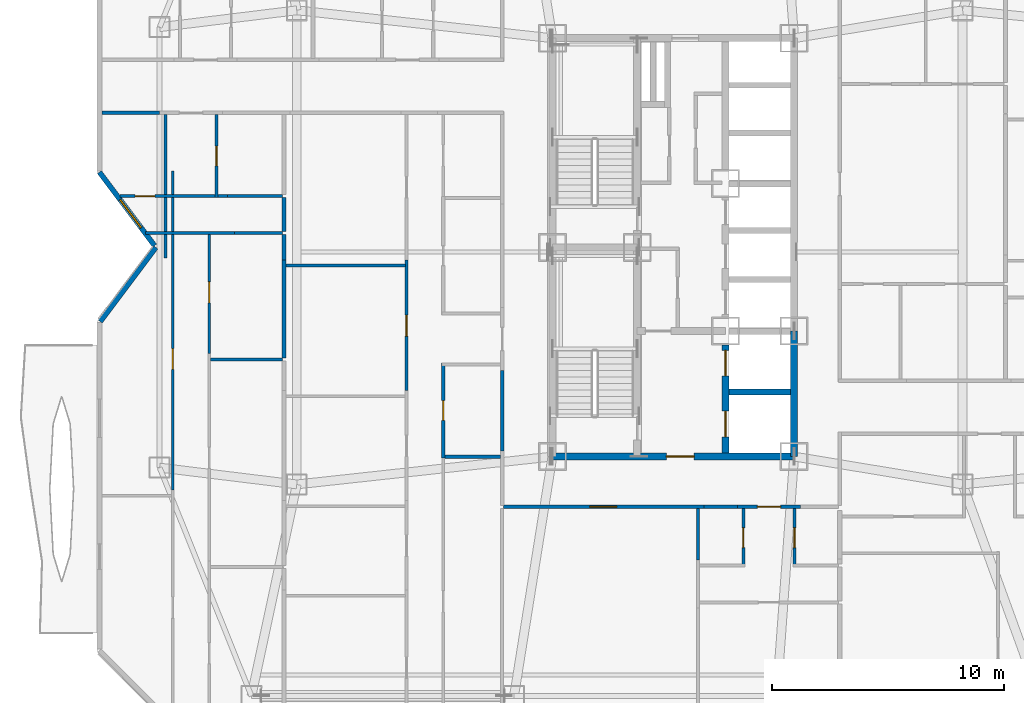
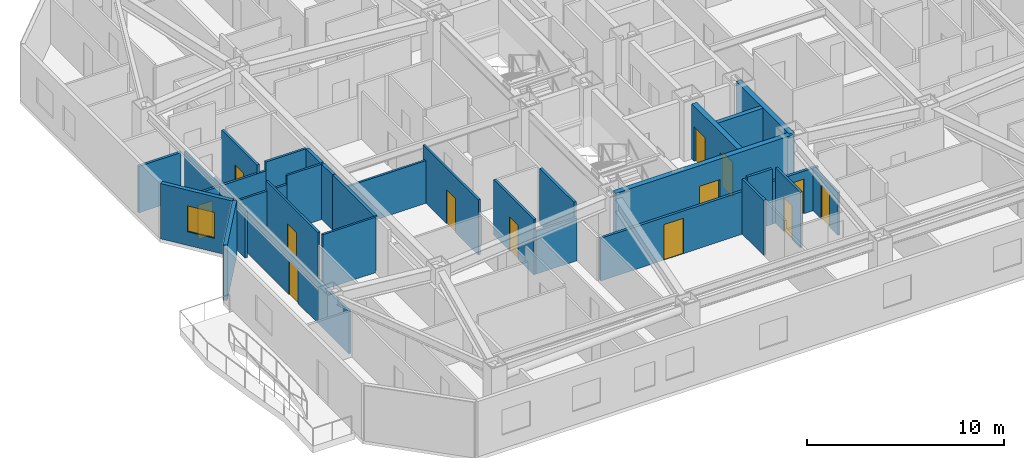
# One storey, part 8 of 16: 30 walls, 13 doors, 1 window, 14 openings.
"""IFC4 building model written with IfcOpenShell, lengths in metres."""

from ifc_helpers import new_model, si_unit, direction, frame, frame_2d, origin, place, context, subcontext, project, spatial, rectangle, extrude, material, layer, layer_set, type_object, element, fill, save


model = new_model("IFC4")

# Units and contexts
model_context = context("Model", 3, precision=1e-05, world=origin(), true_north=direction((0.0, 1.0)))
body_context = subcontext(model_context, "Body", "Model", "MODEL_VIEW")
ifc_project = project(units=[si_unit("LENGTHUNIT", "METRE"), si_unit("AREAUNIT", "SQUARE_METRE"), si_unit("VOLUMEUNIT", "CUBIC_METRE"), si_unit("PLANEANGLEUNIT", "RADIAN"), si_unit("MASSUNIT", "GRAM", prefix="KILO")], contexts=[model_context])

# Site, building, storey
site_placement = place(None, origin())
site = spatial("IfcSite", under=ifc_project, at=site_placement, CompositionType="ELEMENT")
building_placement = place(site_placement, origin())
building = spatial("IfcBuilding", under=site, at=building_placement, Name="Khamvora Tower", CompositionType="ELEMENT")
storey_placement = place(building_placement, frame((0.0, 0.0, 134.75)))
storey = spatial("IfcBuildingStorey", under=building, at=storey_placement, Name="L34", CompositionType="ELEMENT", Elevation=134.75)

# Wall, opening, door
ifc_material_1 = material(Name="Concrete C50/60", Category="concrete")
ifc_layer_1 = layer(ifc_material_1, 0.300048828125)
ifc_layer_set_1 = layer_set([ifc_layer_1], Name="Concrete C50/60")
wall_type_1 = type_object("IfcWallType", Name="WAL-CORE-300", PredefinedType="SHEAR", material=ifc_layer_set_1)
wall_1_placement = place(storey_placement, frame((29.0, 19.0, 0.0), z_axis=(0.0, 0.0, 1.0), x_axis=(1.0, 0.0, 0.0)))
wall_1 = element("IfcWall", 1, at=wall_1_placement, inside=storey, type_object=wall_type_1, Name="L34 central core south wall", PredefinedType="SHEAR", context=body_context, shape_type="SweptSolid", body=[
    extrude(rectangle(XDim=10.39990234375, YDim=0.300048828125, at=frame_2d((5.199951171875, 0.0))), origin(), (0.0, 0.0, 1.0), 3.429931640625),
])
opening_1_placement = place(wall_1_placement, frame((4.89990234375, 0.0, 0.0)))
opening_1 = element("IfcOpeningElement", 2, at=opening_1_placement, cuts=wall_1, Name="Opening D-CR1", PredefinedType="OPENING", context=body_context, shape_type="SweptSolid", body=[
    extrude(rectangle(XDim=1.199951171875, YDim=2.14990234375, at=frame_2d((0.60009765625, 1.074951171875))), frame((0.0, 0.159912109375, 0.0), z_axis=(0.0, -1.0, 0.0), x_axis=(1.0, 0.0, 0.0)), (0.0, 0.0, 1.0), 0.320068359375),
])
ifc_material_2 = material(Name="Powder-Coated Steel and Hardwood Leaf", Category="steel")
door_type_1 = type_object("IfcDoorType", Name="DOR-CORR-1200", OperationType="NOTDEFINED", PredefinedType="DOOR", material=ifc_material_2)
door_1_placement = place(opening_1_placement, origin())
door_1 = element("IfcDoor", 3, at=door_1_placement, inside=storey, type_object=door_type_1, Name="L34 south core lobby to corridor fire door", OperationType="SINGLE_SWING_RIGHT", OverallHeight=2.14990234375, OverallWidth=1.199951171875, PredefinedType="DOOR", context=body_context, shape_type="SweptSolid", body=[
    extrude(rectangle(XDim=1.199951171875, YDim=2.14990234375, at=frame_2d((0.60009765625, 1.074951171875))), frame((0.0, 0.02490234375, 0.0), z_axis=(0.0, -1.0, 0.0), x_axis=(1.0, 0.0, 0.0)), (0.0, 0.0, 1.0), 0.050048828125),
])
fill(opening_1, door_1)

# Wall
wall_2_placement = place(storey_placement, frame((39.39990234375, 19.0, 0.0), z_axis=(0.0, 0.0, 1.0), x_axis=(0.0, 1.0, 0.0)))
element("IfcWall", 4, at=wall_2_placement, inside=storey, type_object=wall_type_1, Name="L34 central core east south wall", PredefinedType="SHEAR", context=body_context, shape_type="SweptSolid", body=[
    extrude(rectangle(XDim=5.39990234375, YDim=0.300048828125, at=frame_2d((2.699951171875, 0.0))), origin(), (0.0, 0.0, 1.0), 3.429931640625),
])

# Wall, openings, doors
wall_3_placement = place(storey_placement, frame((36.449951171875, 19.154052734375, 0.0), z_axis=(0.0, 0.0, 1.0), x_axis=(0.0, 1.0, 0.0)))
wall_3 = element("IfcWall", 5, at=wall_3_placement, inside=storey, type_object=wall_type_1, Name="L34 central core lift bank south wall", PredefinedType="SHEAR", context=body_context, shape_type="SweptSolid", body=[
    extrude(rectangle(XDim=4.64599609375, YDim=0.300048828125, at=frame_2d((2.322998046875, 0.0))), origin(), (0.0, 0.0, 1.0), 3.429931640625),
])
opening_2_placement = place(wall_3_placement, frame((0.696044921875, 0.0, 0.0)))
opening_2 = element("IfcOpeningElement", 6, at=opening_2_placement, cuts=wall_3, Name="Opening LD-FFL", PredefinedType="OPENING", context=body_context, shape_type="SweptSolid", body=[
    extrude(rectangle(XDim=1.10009765625, YDim=2.14990234375, at=frame_2d((0.550048828125, 1.074951171875))), frame((0.0, 0.159912109375, 0.0), z_axis=(0.0, -1.0, 0.0), x_axis=(1.0, 0.0, 0.0)), (0.0, 0.0, 1.0), 0.320068359375),
])
opening_3_placement = place(wall_3_placement, frame((3.31591796875, 0.0, 0.0)))
opening_3 = element("IfcOpeningElement", 7, at=opening_3_placement, cuts=wall_3, Name="Opening LD-FFL", PredefinedType="OPENING", context=body_context, shape_type="SweptSolid", body=[
    extrude(rectangle(XDim=1.10009765625, YDim=2.14990234375, at=frame_2d((0.550048828125, 1.074951171875))), frame((0.0, 0.159912109375, 0.0), z_axis=(0.0, -1.0, 0.0), x_axis=(1.0, 0.0, 0.0)), (0.0, 0.0, 1.0), 0.320068359375),
])
door_type_2 = type_object("IfcDoorType", Name="DOR-LIFT-1100", OperationType="SLIDING_TO_LEFT", PredefinedType="DOOR", material=ifc_material_2)
door_2_placement = place(opening_2_placement, origin())
door_2 = element("IfcDoor", 8, at=door_2_placement, inside=storey, type_object=door_type_2, Name="L34 lift landing sliding door FFL-01", OperationType="SLIDING_TO_LEFT", OverallHeight=2.14990234375, OverallWidth=1.10009765625, PredefinedType="DOOR", context=body_context, shape_type="SweptSolid", body=[
    extrude(rectangle(XDim=1.10009765625, YDim=2.14990234375, at=frame_2d((0.550048828125, 1.074951171875))), frame((0.0, 0.02490234375, 0.0), z_axis=(0.0, -1.0, 0.0), x_axis=(1.0, 0.0, 0.0)), (0.0, 0.0, 1.0), 0.050048828125),
])
fill(opening_2, door_2)
door_3_placement = place(opening_3_placement, origin())
door_3 = element("IfcDoor", 9, at=door_3_placement, inside=storey, type_object=door_type_2, Name="L34 lift landing sliding door FFL-02", OperationType="SLIDING_TO_LEFT", OverallHeight=2.14990234375, OverallWidth=1.10009765625, PredefinedType="DOOR", context=body_context, shape_type="SweptSolid", body=[
    extrude(rectangle(XDim=1.10009765625, YDim=2.14990234375, at=frame_2d((0.550048828125, 1.074951171875))), frame((0.0, 0.02490234375, 0.0), z_axis=(0.0, -1.0, 0.0), x_axis=(1.0, 0.0, 0.0)), (0.0, 0.0, 1.0), 0.050048828125),
])
fill(opening_3, door_3)

# Wall, opening, door
ifc_material_3 = material(Name="Fire-Rated Drywall and Steel Stud", Category="steel")
ifc_layer_2 = layer(ifc_material_3, 0.14990234375)
ifc_layer_set_2 = layer_set([ifc_layer_2], Name="Fire-Rated Drywall and Steel Stud")
wall_type_2 = type_object("IfcWallType", Name="WAL-CORR-150", PredefinedType="STANDARD", material=ifc_layer_set_2)
wall_4_placement = place(storey_placement, frame((35.513916015625, 16.8349609375, 0.0), z_axis=(0.0, 0.0, 1.0), x_axis=(-1.0, 0.0, 0.0)))
wall_4 = element("IfcWall", 10, at=wall_4_placement, inside=storey, type_object=wall_type_2, Name="L34 interior partition wall 008", PredefinedType="STANDARD", context=body_context, shape_type="SweptSolid", body=[
    extrude(rectangle(XDim=8.614013671875, YDim=0.14990234375, at=frame_2d((4.30712890625, 0.0))), origin(), (0.0, 0.0, 1.0), 2.64697265625),
])
opening_4_placement = place(wall_4_placement, frame((3.7529296875, 0.0, 0.0)))
opening_4 = element("IfcOpeningElement", 11, at=opening_4_placement, cuts=wall_4, Name="Opening D-SC1", PredefinedType="OPENING", context=body_context, shape_type="SweptSolid", body=[
    extrude(rectangle(XDim=1.14990234375, YDim=2.199951171875, at=frame_2d((0.574951171875, 1.10009765625))), frame((0.0, 0.0849609375, 0.0), z_axis=(0.0, -1.0, 0.0), x_axis=(1.0, 0.0, 0.0)), (0.0, 0.0, 1.0), 0.169921875),
])
door_type_3 = type_object("IfcDoorType", Name="DOR-SCHL-1150", OperationType="NOTDEFINED", PredefinedType="DOOR", material=ifc_material_2)
door_4_placement = place(opening_4_placement, origin())
door_4 = element("IfcDoor", 12, at=door_4_placement, inside=storey, type_object=door_type_3, Name="L34 interior door COR-RCOW", OperationType="SINGLE_SWING_LEFT", OverallHeight=2.199951171875, OverallWidth=1.14990234375, PredefinedType="DOOR", context=body_context, shape_type="SweptSolid", body=[
    extrude(rectangle(XDim=1.14990234375, YDim=2.199951171875, at=frame_2d((0.574951171875, 1.10009765625))), frame((0.0, 0.02490234375, 0.0), z_axis=(0.0, -1.0, 0.0), x_axis=(1.0, 0.0, 0.0)), (0.0, 0.0, 1.0), 0.050048828125),
])
fill(opening_4, door_4)

# Walls
wall_5_placement = place(storey_placement, frame((12.097900390625, 33.784912109375, 0.0), z_axis=(0.0, 0.0, 1.0), x_axis=(-1.0, 0.0, 0.0)))
element("IfcWall", 13, at=wall_5_placement, inside=storey, type_object=wall_type_2, Name="L34 interior partition wall 010", PredefinedType="STANDARD", context=body_context, shape_type="SweptSolid", body=[
    extrude(rectangle(XDim=2.48583984375, YDim=0.14990234375, at=frame_2d((1.242919921875, 0.0))), origin(), (0.0, 0.0, 1.0), 2.8759765625),
])
wall_6_placement = place(storey_placement, frame((26.8349609375, 19.242919921875, 0.0), z_axis=(0.0, 0.0, 1.0), x_axis=(0.0, 1.0, 0.0)))
element("IfcWall", 14, at=wall_6_placement, inside=storey, type_object=wall_type_2, Name="L34 interior partition wall 017", PredefinedType="STANDARD", context=body_context, shape_type="SweptSolid", body=[
    extrude(rectangle(XDim=3.467041015625, YDim=0.14990234375, at=frame_2d((1.7333984375, 0.0))), origin(), (0.0, 0.0, 1.0), 3.429931640625),
])

# Wall, opening, door
wall_7_placement = place(storey_placement, frame((39.6640625, 16.8349609375, 0.0), z_axis=(0.0, 0.0, 1.0), x_axis=(-1.0, 0.0, 0.0)))
wall_7 = element("IfcWall", 15, at=wall_7_placement, inside=storey, type_object=wall_type_2, Name="L34 interior partition wall 027", PredefinedType="STANDARD", context=body_context, shape_type="SweptSolid", body=[
    extrude(rectangle(XDim=2.697998046875, YDim=0.14990234375, at=frame_2d((1.34912109375, 0.0))), origin(), (0.0, 0.0, 1.0), 2.64697265625),
])
opening_5_placement = place(wall_7_placement, frame((0.84912109375, 0.0, 0.0)))
opening_5 = element("IfcOpeningElement", 16, at=opening_5_placement, cuts=wall_7, Name="Opening D-U1", PredefinedType="OPENING", context=body_context, shape_type="SweptSolid", body=[
    extrude(rectangle(XDim=1.0, YDim=2.14990234375, at=frame_2d((0.5, 1.074951171875))), frame((0.0, 0.0849609375, 0.0), z_axis=(0.0, -1.0, 0.0), x_axis=(1.0, 0.0, 0.0)), (0.0, 0.0, 1.0), 0.169921875),
])
door_type_4 = type_object("IfcDoorType", Name="DOR-UNIT-1000", OperationType="NOTDEFINED", PredefinedType="DOOR", material=ifc_material_2)
door_5_placement = place(opening_5_placement, origin())
door_5 = element("IfcDoor", 17, at=door_5_placement, inside=storey, type_object=door_type_4, Name="L34 interior door COR-34SAH", OperationType="SINGLE_SWING_RIGHT", OverallHeight=2.14990234375, OverallWidth=1.0, PredefinedType="DOOR", context=body_context, shape_type="SweptSolid", body=[
    extrude(rectangle(XDim=1.0, YDim=2.14990234375, at=frame_2d((0.5, 1.074951171875))), frame((0.0, 0.02490234375, 0.0), z_axis=(0.0, -1.0, 0.0), x_axis=(1.0, 0.0, 0.0)), (0.0, 0.0, 1.0), 0.050048828125),
])
fill(opening_5, door_5)

# Walls
wall_8_placement = place(storey_placement, frame((36.966064453125, 16.8349609375, 0.0), z_axis=(0.0, 0.0, 1.0), x_axis=(-1.0, 0.0, 0.0)))
element("IfcWall", 18, at=wall_8_placement, inside=storey, type_object=wall_type_2, Name="L34 interior partition wall 028", PredefinedType="STANDARD", context=body_context, shape_type="SweptSolid", body=[
    extrude(rectangle(XDim=1.4521484375, YDim=0.14990234375, at=frame_2d((0.72607421875, 0.0))), origin(), (0.0, 0.0, 1.0), 3.429931640625),
])
ifc_material_4 = material(Name="Acoustic Double-Stud Fire Wall", Category="gypsum")
ifc_layer_3 = layer(ifc_material_4, 0.179931640625)
ifc_layer_set_3 = layer_set([ifc_layer_3], Name="Acoustic Double-Stud Fire Wall")
wall_type_3 = type_object("IfcWallType", Name="WAL-CORR-180", PredefinedType="STANDARD", material=ifc_layer_set_3)
wall_9_placement = place(storey_placement, frame((17.449951171875, 30.139892578125, 0.0), z_axis=(0.0, 0.0, 1.0), x_axis=(0.0, -1.0, 0.0)))
element("IfcWall", 19, at=wall_9_placement, inside=storey, type_object=wall_type_3, Name="L34 interior partition wall 060", PredefinedType="STANDARD", context=body_context, shape_type="SweptSolid", body=[
    extrude(rectangle(XDim=1.449951171875, YDim=0.179931640625, at=frame_2d((0.72509765625, 0.0))), origin(), (0.0, 0.0, 1.0), 3.429931640625),
])
wall_10_placement = place(storey_placement, frame((17.449951171875, 27.465087890625, 0.0), z_axis=(0.0, 0.0, 1.0), x_axis=(0.0, -1.0, 0.0)))
element("IfcWall", 20, at=wall_10_placement, inside=storey, type_object=wall_type_3, Name="L34 interior partition wall 070", PredefinedType="STANDARD", context=body_context, shape_type="SweptSolid", body=[
    extrude(rectangle(XDim=4.218017578125, YDim=0.179931640625, at=frame_2d((2.10888671875, 0.0))), origin(), (0.0, 0.0, 1.0), 3.429931640625),
])
wall_11_placement = place(storey_placement, frame((17.449951171875, 28.56005859375, 0.0), z_axis=(0.0, 0.0, 1.0), x_axis=(0.0, -1.0, 0.0)))
element("IfcWall", 21, at=wall_11_placement, inside=storey, type_object=wall_type_3, Name="L34 interior partition wall 071", PredefinedType="STANDARD", context=body_context, shape_type="SweptSolid", body=[
    extrude(rectangle(XDim=1.094970703125, YDim=0.179931640625, at=frame_2d((0.54736328125, 0.0))), origin(), (0.0, 0.0, 1.0), 3.429931640625),
])
ifc_material_5 = material(Name="Precast concrete C40/50", Category="concrete")
ifc_layer_4 = layer(ifc_material_5, 0.219970703125)
ifc_layer_set_4 = layer_set([ifc_layer_4], Name="Precast concrete C40/50")
wall_type_4 = type_object("IfcWallType", Name="WAL-EXT-220", PredefinedType="STANDARD", material=ifc_layer_set_4)
wall_12_placement = place(storey_placement, frame((9.5439453125, 24.80810546875, 0.0), z_axis=(0.0, 0.0, 1.0), x_axis=(0.600019580308, 0.799985314394, 0.0)))
element("IfcWall", 22, at=wall_12_placement, inside=storey, type_object=wall_type_4, Name="L34 exterior facade wall 03.1", PredefinedType="STANDARD", context=body_context, shape_type="SweptSolid", body=[
    extrude(rectangle(XDim=3.989990234375, YDim=0.219970703125, at=frame_2d((1.9951171875, 0.0))), origin(), (0.0, 0.0, 1.0), 3.429931640625),
])

# Wall, opening, window
wall_13_placement = place(storey_placement, frame((11.881103515625, 28.076904296875, 0.0), z_axis=(0.0, 0.0, 1.0), x_axis=(-0.600158184825, 0.799881336942, 0.0)))
wall_13 = element("IfcWall", 23, at=wall_13_placement, inside=storey, type_object=wall_type_4, Name="L34 exterior facade wall 04.1", PredefinedType="STANDARD", context=body_context, shape_type="SweptSolid", body=[
    extrude(rectangle(XDim=3.95068359375, YDim=0.219970703125, at=frame_2d((1.975341796875, 0.0))), origin(), (0.0, 0.0, 1.0), 3.429931640625),
])
opening_6_placement = place(wall_13_placement, frame((0.964111328125, 0.0, 0.85009765625)))
opening_6 = element("IfcOpeningElement", 24, at=opening_6_placement, cuts=wall_13, Name="Opening WN-02", PredefinedType="OPENING", context=body_context, shape_type="SweptSolid", body=[
    extrude(rectangle(XDim=1.5, YDim=1.60009765625, at=frame_2d((0.75, 0.800048828125))), frame((0.0, 0.119873046875, 0.0), z_axis=(0.0, -1.0, 0.0), x_axis=(1.0, 0.0, 0.0)), (0.0, 0.0, 1.0), 0.239990234375),
])
ifc_material_6 = material(Name="Low-E Laminated Double Glazing", Category="glass")
window_type = type_object("IfcWindowType", Name="WIN-VIS-1500x1600", PartitioningType="SINGLE_PANEL", PredefinedType="WINDOW", material=ifc_material_6)
window_placement = place(opening_6_placement, origin())
window = element("IfcWindow", 25, at=window_placement, inside=storey, type_object=window_type, Name="L34 vision window 04.1.01", OverallHeight=1.60009765625, OverallWidth=1.5, PartitioningType="SINGLE_PANEL", PredefinedType="WINDOW", context=body_context, shape_type="SweptSolid", body=[
    extrude(rectangle(XDim=1.5, YDim=1.60009765625, at=frame_2d((0.75, 0.800048828125))), frame((0.0, 0.030029296875, 0.0), z_axis=(0.0, -1.0, 0.0), x_axis=(1.0, 0.0, 0.0)), (0.0, 0.0, 1.0), 0.06005859375),
])
fill(opening_6, window)

# Wall, opening, door
ifc_material_7 = material(Name="Gypsum Plasterboard Partition", Category="gypsum")
ifc_layer_5 = layer(ifc_material_7, 0.1201171875)
ifc_layer_set_5 = layer_set([ifc_layer_5], Name="Gypsum Plasterboard Partition")
wall_type_5 = type_object("IfcWallType", Name="WAL-PART-120", PredefinedType="PARTITIONING", material=ifc_layer_set_5)
wall_14_placement = place(storey_placement, frame((12.662109375, 17.56298828125, 0.0), z_axis=(0.0, 0.0, 1.0), x_axis=(0.0, 1.0, 0.0)))
wall_14 = element("IfcWall", 26, at=wall_14_placement, inside=storey, type_object=wall_type_5, Name="L34 interior partition wall 054", PredefinedType="PARTITIONING", context=body_context, shape_type="SweptSolid", body=[
    extrude(rectangle(XDim=13.72705078125, YDim=0.1201171875, at=frame_2d((6.863525390625, 0.0))), origin(), (0.0, 0.0, 1.0), 2.64697265625),
])
opening_7_placement = place(wall_14_placement, frame((5.18408203125, 0.0, 0.0)))
opening_7 = element("IfcOpeningElement", 27, at=opening_7_placement, cuts=wall_14, Name="Opening D-RM1", PredefinedType="OPENING", context=body_context, shape_type="SweptSolid", body=[
    extrude(rectangle(XDim=0.89990234375, YDim=2.10009765625, at=frame_2d((0.449951171875, 1.050048828125))), frame((0.0, 0.070068359375, 0.0), z_axis=(0.0, -1.0, 0.0), x_axis=(1.0, 0.0, 0.0)), (0.0, 0.0, 1.0), 0.14013671875),
])
door_type_5 = type_object("IfcDoorType", Name="DOR-ROOM-900", OperationType="NOTDEFINED", PredefinedType="DOOR", material=ifc_material_2)
door_6_placement = place(opening_7_placement, origin())
door_6 = element("IfcDoor", 28, at=door_6_placement, inside=storey, type_object=door_type_5, Name="L34 interior door 34WA1H-34WA1R2", OperationType="SINGLE_SWING_LEFT", OverallHeight=2.10009765625, OverallWidth=0.89990234375, PredefinedType="DOOR", context=body_context, shape_type="SweptSolid", body=[
    extrude(rectangle(XDim=0.89990234375, YDim=2.10009765625, at=frame_2d((0.449951171875, 1.050048828125))), frame((0.0, 0.02490234375, 0.0), z_axis=(0.0, -1.0, 0.0), x_axis=(1.0, 0.0, 0.0)), (0.0, 0.0, 1.0), 0.050048828125),
])
fill(opening_7, door_6)

# Walls
wall_15_placement = place(storey_placement, frame((15.326904296875, 28.625, 0.0), z_axis=(0.0, 0.0, 1.0), x_axis=(-1.0, 0.0, 0.0)))
element("IfcWall", 29, at=wall_15_placement, inside=storey, type_object=wall_type_5, Name="L34 interior partition wall 055", PredefinedType="PARTITIONING", context=body_context, shape_type="SweptSolid", body=[
    extrude(rectangle(XDim=3.844970703125, YDim=0.1201171875, at=frame_2d((1.92236328125, 0.0))), origin(), (0.0, 0.0, 1.0), 2.8759765625),
])
wall_16_placement = place(storey_placement, frame((17.385009765625, 28.625, 0.0), z_axis=(0.0, 0.0, 1.0), x_axis=(-1.0, 0.0, 0.0)))
element("IfcWall", 30, at=wall_16_placement, inside=storey, type_object=wall_type_5, Name="L34 interior partition wall 058", PredefinedType="PARTITIONING", context=body_context, shape_type="SweptSolid", body=[
    extrude(rectangle(XDim=2.05810546875, YDim=0.1201171875, at=frame_2d((1.029052734375, 0.0))), origin(), (0.0, 0.0, 1.0), 3.429931640625),
])

# Wall, opening, door
wall_17_placement = place(storey_placement, frame((14.23193359375, 28.68994140625, 0.0), z_axis=(0.0, 0.0, 1.0), x_axis=(0.0, -1.0, 0.0)))
wall_17 = element("IfcWall", 31, at=wall_17_placement, inside=storey, type_object=wall_type_5, Name="L34 interior partition wall 059", PredefinedType="PARTITIONING", context=body_context, shape_type="SweptSolid", body=[
    extrude(rectangle(XDim=5.259033203125, YDim=0.1201171875, at=frame_2d((2.62939453125, 0.0))), origin(), (0.0, 0.0, 1.0), 3.429931640625),
])
opening_8_placement = place(wall_17_placement, frame((2.178955078125, 0.0, 0.0)))
opening_8 = element("IfcOpeningElement", 32, at=opening_8_placement, cuts=wall_17, Name="Opening D-RM1", PredefinedType="OPENING", context=body_context, shape_type="SweptSolid", body=[
    extrude(rectangle(XDim=0.89990234375, YDim=2.10009765625, at=frame_2d((0.449951171875, 1.050048828125))), frame((0.0, 0.070068359375, 0.0), z_axis=(0.0, -1.0, 0.0), x_axis=(1.0, 0.0, 0.0)), (0.0, 0.0, 1.0), 0.14013671875),
])
door_7_placement = place(opening_8_placement, origin())
door_7 = element("IfcDoor", 33, at=door_7_placement, inside=storey, type_object=door_type_5, Name="L34 interior door 34WA1H-34WA1R5", OperationType="SINGLE_SWING_RIGHT", OverallHeight=2.10009765625, OverallWidth=0.89990234375, PredefinedType="DOOR", context=body_context, shape_type="SweptSolid", body=[
    extrude(rectangle(XDim=0.89990234375, YDim=2.10009765625, at=frame_2d((0.449951171875, 1.050048828125))), frame((0.0, 0.02490234375, 0.0), z_axis=(0.0, -1.0, 0.0), x_axis=(1.0, 0.0, 0.0)), (0.0, 0.0, 1.0), 0.050048828125),
])
fill(opening_8, door_7)

# Wall
wall_18_placement = place(storey_placement, frame((14.285888671875, 23.181884765625, 0.0), z_axis=(0.0, 0.0, 1.0), x_axis=(1.0, 0.0, 0.0)))
element("IfcWall", 34, at=wall_18_placement, inside=storey, type_object=wall_type_5, Name="L34 interior partition wall 066", PredefinedType="PARTITIONING", context=body_context, shape_type="SweptSolid", body=[
    extrude(rectangle(XDim=3.09912109375, YDim=0.1201171875, at=frame_2d((1.549560546875, 0.0))), origin(), (0.0, 0.0, 1.0), 3.429931640625),
])

# Wall, opening, door
wall_19_placement = place(storey_placement, frame((22.72509765625, 21.845947265625, 0.0), z_axis=(0.0, 0.0, 1.0), x_axis=(0.0, 1.0, 0.0)))
wall_19 = element("IfcWall", 35, at=wall_19_placement, inside=storey, type_object=wall_type_5, Name="L34 interior partition wall 083", PredefinedType="PARTITIONING", context=body_context, shape_type="SweptSolid", body=[
    extrude(rectangle(XDim=5.619140625, YDim=0.1201171875, at=frame_2d((2.8095703125, 0.0))), origin(), (0.0, 0.0, 1.0), 3.429931640625),
])
opening_9_placement = place(wall_19_placement, frame((2.337890625, 0.0, 0.0)))
opening_9 = element("IfcOpeningElement", 36, at=opening_9_placement, cuts=wall_19, Name="Opening D-RM1", PredefinedType="OPENING", context=body_context, shape_type="SweptSolid", body=[
    extrude(rectangle(XDim=0.89990234375, YDim=2.10009765625, at=frame_2d((0.449951171875, 1.050048828125))), frame((0.0, 0.070068359375, 0.0), z_axis=(0.0, -1.0, 0.0), x_axis=(1.0, 0.0, 0.0)), (0.0, 0.0, 1.0), 0.14013671875),
])
door_8_placement = place(opening_9_placement, origin())
door_8 = element("IfcDoor", 37, at=door_8_placement, inside=storey, type_object=door_type_5, Name="L34 interior door 34WA2H-34WA2R4", OperationType="SINGLE_SWING_RIGHT", OverallHeight=2.10009765625, OverallWidth=0.89990234375, PredefinedType="DOOR", context=body_context, shape_type="SweptSolid", body=[
    extrude(rectangle(XDim=0.89990234375, YDim=2.10009765625, at=frame_2d((0.449951171875, 1.050048828125))), frame((0.0, 0.02490234375, 0.0), z_axis=(0.0, -1.0, 0.0), x_axis=(1.0, 0.0, 0.0)), (0.0, 0.0, 1.0), 0.050048828125),
])
fill(opening_9, door_8)

# Walls
wall_20_placement = place(storey_placement, frame((17.531982421875, 27.216064453125, 0.0), z_axis=(0.0, 0.0, 1.0), x_axis=(1.0, 0.0, 0.0)))
element("IfcWall", 38, at=wall_20_placement, inside=storey, type_object=wall_type_5, Name="L34 interior partition wall 088", PredefinedType="PARTITIONING", context=body_context, shape_type="SweptSolid", body=[
    extrude(rectangle(XDim=5.138916015625, YDim=0.1201171875, at=frame_2d((2.5693359375, 0.0))), origin(), (0.0, 0.0, 1.0), 2.64697265625),
])
ifc_material_8 = material(Name="Concrete C40/50", Category="concrete")
ifc_layer_6 = layer(ifc_material_8, 0.25)
ifc_layer_set_6 = layer_set([ifc_layer_6], Name="Concrete C40/50")
wall_type_6 = type_object("IfcWallType", Name="WAL-PODS-250", PredefinedType="SHEAR", material=ifc_layer_set_6)
wall_21_placement = place(storey_placement, frame((36.60400390625, 21.77490234375, 0.0), z_axis=(0.0, 0.0, 1.0), x_axis=(1.0, 0.0, 0.0)))
element("IfcWall", 39, at=wall_21_placement, inside=storey, type_object=wall_type_6, Name="L34 lift shaft divider wall FFL-01", PredefinedType="SHEAR", context=body_context, shape_type="SweptSolid", body=[
    extrude(rectangle(XDim=2.64208984375, YDim=0.25, at=frame_2d((1.321044921875, 0.0))), origin(), (0.0, 0.0, 1.0), 3.429931640625),
])
ifc_material_9 = material(Name="Moisture-Resistant Plasterboard Partition", Category="gypsum")
ifc_layer_7 = layer(ifc_material_9, 0.135009765625)
ifc_layer_set_7 = layer_set([ifc_layer_7], Name="Moisture-Resistant Plasterboard Partition")
wall_type_7 = type_object("IfcWallType", Name="WAL-WET-135", PredefinedType="PARTITIONING", material=ifc_layer_set_7)
wall_22_placement = place(storey_placement, frame((35.264892578125, 16.77001953125, 0.0), z_axis=(0.0, 0.0, 1.0), x_axis=(0.0, -1.0, 0.0)))
element("IfcWall", 40, at=wall_22_placement, inside=storey, type_object=wall_type_7, Name="L34 interior partition wall 047", PredefinedType="PARTITIONING", context=body_context, shape_type="SweptSolid", body=[
    extrude(rectangle(XDim=2.216064453125, YDim=0.135009765625, at=frame_2d((1.10791015625, 0.0))), origin(), (0.0, 0.0, 1.0), 3.429931640625),
])

# Wall, opening, door
wall_23_placement = place(storey_placement, frame((10.39599609375, 30.205078125, 0.0), z_axis=(0.0, 0.0, 1.0), x_axis=(1.0, 0.0, 0.0)))
wall_23 = element("IfcWall", 41, at=wall_23_placement, inside=storey, type_object=wall_type_7, Name="L34 interior partition wall 049", PredefinedType="PARTITIONING", context=body_context, shape_type="SweptSolid", body=[
    extrude(rectangle(XDim=4.615966796875, YDim=0.135009765625, at=frame_2d((2.30810546875, 0.0))), origin(), (0.0, 0.0, 1.0), 2.8759765625),
])
opening_10_placement = place(wall_23_placement, frame((0.654052734375, 0.0, 0.0)))
opening_10 = element("IfcOpeningElement", 42, at=opening_10_placement, cuts=wall_23, Name="Opening D-WC1", PredefinedType="OPENING", context=body_context, shape_type="SweptSolid", body=[
    extrude(rectangle(XDim=0.85009765625, YDim=2.10009765625, at=frame_2d((0.425048828125, 1.050048828125))), frame((0.0, 0.077392578125, 0.0), z_axis=(0.0, -1.0, 0.0), x_axis=(1.0, 0.0, 0.0)), (0.0, 0.0, 1.0), 0.155029296875),
])
door_type_6 = type_object("IfcDoorType", Name="DOR-WET-850", OperationType="NOTDEFINED", PredefinedType="DOOR", material=ifc_material_2)
door_9_placement = place(opening_10_placement, origin())
door_9 = element("IfcDoor", 43, at=door_9_placement, inside=storey, type_object=door_type_6, Name="L34 interior door 34WA1H-34WA1B", OperationType="SINGLE_SWING_LEFT", OverallHeight=2.10009765625, OverallWidth=0.85009765625, PredefinedType="DOOR", context=body_context, shape_type="SweptSolid", body=[
    extrude(rectangle(XDim=0.85009765625, YDim=2.10009765625, at=frame_2d((0.425048828125, 1.050048828125))), frame((0.0, 0.02490234375, 0.0), z_axis=(0.0, -1.0, 0.0), x_axis=(1.0, 0.0, 0.0)), (0.0, 0.0, 1.0), 0.050048828125),
])
fill(opening_10, door_9)

# Wall
wall_24_placement = place(storey_placement, frame((12.346923828125, 27.5400390625, 0.0), z_axis=(0.0, 0.0, 1.0), x_axis=(0.0, 1.0, 0.0)))
element("IfcWall", 44, at=wall_24_placement, inside=storey, type_object=wall_type_7, Name="L34 interior partition wall 050", PredefinedType="PARTITIONING", context=body_context, shape_type="SweptSolid", body=[
    extrude(rectangle(XDim=6.177978515625, YDim=0.135009765625, at=frame_2d((3.0888671875, 0.0))), origin(), (0.0, 0.0, 1.0), 2.8759765625),
])

# Wall, opening, door
wall_25_placement = place(storey_placement, frame((14.547119140625, 33.718017578125, 0.0), z_axis=(0.0, 0.0, 1.0), x_axis=(0.0, -1.0, 0.0)))
wall_25 = element("IfcWall", 45, at=wall_25_placement, inside=storey, type_object=wall_type_7, Name="L34 interior partition wall 051", PredefinedType="PARTITIONING", context=body_context, shape_type="SweptSolid", body=[
    extrude(rectangle(XDim=3.578125, YDim=0.135009765625, at=frame_2d((1.7890625, 0.0))), origin(), (0.0, 0.0, 1.0), 3.429931640625),
])
opening_11_placement = place(wall_25_placement, frame((1.364013671875, 0.0, 0.0)))
opening_11 = element("IfcOpeningElement", 46, at=opening_11_placement, cuts=wall_25, Name="Opening D-RM2", PredefinedType="OPENING", context=body_context, shape_type="SweptSolid", body=[
    extrude(rectangle(XDim=0.85009765625, YDim=2.10009765625, at=frame_2d((0.425048828125, 1.050048828125))), frame((0.0, 0.077392578125, 0.0), z_axis=(0.0, -1.0, 0.0), x_axis=(1.0, 0.0, 0.0)), (0.0, 0.0, 1.0), 0.155029296875),
])
door_type_7 = type_object("IfcDoorType", Name="DOR-ROOM-850", OperationType="NOTDEFINED", PredefinedType="DOOR", material=ifc_material_2)
door_10_placement = place(opening_11_placement, origin())
door_10 = element("IfcDoor", 47, at=door_10_placement, inside=storey, type_object=door_type_7, Name="L34 interior door 34WA1H-34WA1K", OperationType="SINGLE_SWING_RIGHT", OverallHeight=2.10009765625, OverallWidth=0.85009765625, PredefinedType="DOOR", context=body_context, shape_type="SweptSolid", body=[
    extrude(rectangle(XDim=0.85009765625, YDim=2.10009765625, at=frame_2d((0.425048828125, 1.050048828125))), frame((0.0, 0.02490234375, 0.0), z_axis=(0.0, -1.0, 0.0), x_axis=(1.0, 0.0, 0.0)), (0.0, 0.0, 1.0), 0.050048828125),
])
fill(opening_11, door_10)

# Walls
wall_26_placement = place(storey_placement, frame((15.011962890625, 30.205078125, 0.0), z_axis=(0.0, 0.0, 1.0), x_axis=(1.0, 0.0, 0.0)))
element("IfcWall", 48, at=wall_26_placement, inside=storey, type_object=wall_type_7, Name="L34 interior partition wall 052", PredefinedType="PARTITIONING", context=body_context, shape_type="SweptSolid", body=[
    extrude(rectangle(XDim=2.373046875, YDim=0.135009765625, at=frame_2d((1.1865234375, 0.0))), origin(), (0.0, 0.0, 1.0), 3.429931640625),
])
wall_27_placement = place(storey_placement, frame((24.3701171875, 18.993896484375, 0.0), z_axis=(0.0, 0.0, 1.0), x_axis=(1.0, 0.0, 0.0)))
element("IfcWall", 49, at=wall_27_placement, inside=storey, type_object=wall_type_7, Name="L34 interior partition wall 073", PredefinedType="PARTITIONING", context=body_context, shape_type="SweptSolid", body=[
    extrude(rectangle(XDim=2.39990234375, YDim=0.135009765625, at=frame_2d((1.199951171875, 0.0))), origin(), (0.0, 0.0, 1.0), 2.64697265625),
])

# Wall, opening, door
wall_28_placement = place(storey_placement, frame((24.304931640625, 23.02392578125, 0.0), z_axis=(0.0, 0.0, 1.0), x_axis=(0.0, -1.0, 0.0)))
wall_28 = element("IfcWall", 50, at=wall_28_placement, inside=storey, type_object=wall_type_7, Name="L34 interior partition wall 077", PredefinedType="PARTITIONING", context=body_context, shape_type="SweptSolid", body=[
    extrude(rectangle(XDim=4.094970703125, YDim=0.135009765625, at=frame_2d((2.04736328125, 0.0))), origin(), (0.0, 0.0, 1.0), 3.429931640625),
])
opening_12_placement = place(wall_28_placement, frame((1.6220703125, 0.0, 0.0)))
opening_12 = element("IfcOpeningElement", 51, at=opening_12_placement, cuts=wall_28, Name="Opening D-WC1", PredefinedType="OPENING", context=body_context, shape_type="SweptSolid", body=[
    extrude(rectangle(XDim=0.85009765625, YDim=2.10009765625, at=frame_2d((0.425048828125, 1.050048828125))), frame((0.0, 0.077392578125, 0.0), z_axis=(0.0, -1.0, 0.0), x_axis=(1.0, 0.0, 0.0)), (0.0, 0.0, 1.0), 0.155029296875),
])
door_11_placement = place(opening_12_placement, origin())
door_11 = element("IfcDoor", 52, at=door_11_placement, inside=storey, type_object=door_type_6, Name="L34 interior door 34WA2H-34WA2B", OperationType="SINGLE_SWING_LEFT", OverallHeight=2.10009765625, OverallWidth=0.85009765625, PredefinedType="DOOR", context=body_context, shape_type="SweptSolid", body=[
    extrude(rectangle(XDim=0.85009765625, YDim=2.10009765625, at=frame_2d((0.425048828125, 1.050048828125))), frame((0.0, 0.02490234375, 0.0), z_axis=(0.0, -1.0, 0.0), x_axis=(1.0, 0.0, 0.0)), (0.0, 0.0, 1.0), 0.050048828125),
])
fill(opening_12, door_11)

wall_29_placement = place(storey_placement, frame((37.215087890625, 14.239990234375, 0.0), z_axis=(0.0, 0.0, 1.0), x_axis=(0.0, 1.0, 0.0)))
wall_29 = element("IfcWall", 53, at=wall_29_placement, inside=storey, type_object=wall_type_7, Name="L34 interior partition wall 114", PredefinedType="PARTITIONING", context=body_context, shape_type="SweptSolid", body=[
    extrude(rectangle(XDim=2.530029296875, YDim=0.135009765625, at=frame_2d((1.26513671875, 0.0))), origin(), (0.0, 0.0, 1.0), 3.429931640625),
])
opening_13_placement = place(wall_29_placement, frame((0.840087890625, 0.0, 0.0)))
opening_13 = element("IfcOpeningElement", 54, at=opening_13_placement, cuts=wall_29, Name="Opening D-WC1", PredefinedType="OPENING", context=body_context, shape_type="SweptSolid", body=[
    extrude(rectangle(XDim=0.85009765625, YDim=2.10009765625, at=frame_2d((0.425048828125, 1.050048828125))), frame((0.0, 0.077392578125, 0.0), z_axis=(0.0, -1.0, 0.0), x_axis=(1.0, 0.0, 0.0)), (0.0, 0.0, 1.0), 0.155029296875),
])
door_12_placement = place(opening_13_placement, origin())
door_12 = element("IfcDoor", 55, at=door_12_placement, inside=storey, type_object=door_type_6, Name="L34 interior door 34SAH-34SAB", OperationType="SINGLE_SWING_RIGHT", OverallHeight=2.10009765625, OverallWidth=0.85009765625, PredefinedType="DOOR", context=body_context, shape_type="SweptSolid", body=[
    extrude(rectangle(XDim=0.85009765625, YDim=2.10009765625, at=frame_2d((0.425048828125, 1.050048828125))), frame((0.0, 0.02490234375, 0.0), z_axis=(0.0, -1.0, 0.0), x_axis=(1.0, 0.0, 0.0)), (0.0, 0.0, 1.0), 0.050048828125),
])
fill(opening_13, door_12)

wall_30_placement = place(storey_placement, frame((39.4150390625, 16.77001953125, 0.0), z_axis=(0.0, 0.0, 1.0), x_axis=(0.0, -1.0, 0.0)))
wall_30 = element("IfcWall", 56, at=wall_30_placement, inside=storey, type_object=wall_type_7, Name="L34 interior partition wall 115", PredefinedType="PARTITIONING", context=body_context, shape_type="SweptSolid", body=[
    extrude(rectangle(XDim=2.530029296875, YDim=0.135009765625, at=frame_2d((1.26513671875, 0.0))), origin(), (0.0, 0.0, 1.0), 2.64697265625),
])
opening_14_placement = place(wall_30_placement, frame((0.840087890625, 0.0, 0.0)))
opening_14 = element("IfcOpeningElement", 57, at=opening_14_placement, cuts=wall_30, Name="Opening D-RM2", PredefinedType="OPENING", context=body_context, shape_type="SweptSolid", body=[
    extrude(rectangle(XDim=0.85009765625, YDim=2.10009765625, at=frame_2d((0.425048828125, 1.050048828125))), frame((0.0, 0.077392578125, 0.0), z_axis=(0.0, -1.0, 0.0), x_axis=(1.0, 0.0, 0.0)), (0.0, 0.0, 1.0), 0.155029296875),
])
door_13_placement = place(opening_14_placement, origin())
door_13 = element("IfcDoor", 58, at=door_13_placement, inside=storey, type_object=door_type_7, Name="L34 interior door 34SAH-34SAK", OperationType="SINGLE_SWING_LEFT", OverallHeight=2.10009765625, OverallWidth=0.85009765625, PredefinedType="DOOR", context=body_context, shape_type="SweptSolid", body=[
    extrude(rectangle(XDim=0.85009765625, YDim=2.10009765625, at=frame_2d((0.425048828125, 1.050048828125))), frame((0.0, 0.02490234375, 0.0), z_axis=(0.0, -1.0, 0.0), x_axis=(1.0, 0.0, 0.0)), (0.0, 0.0, 1.0), 0.050048828125),
])
fill(opening_14, door_13)

save(model, "model.ifc")
